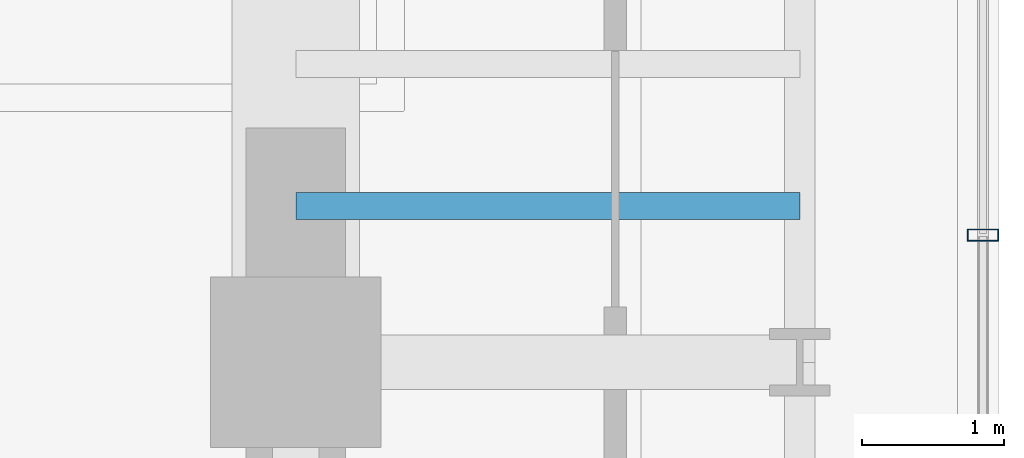
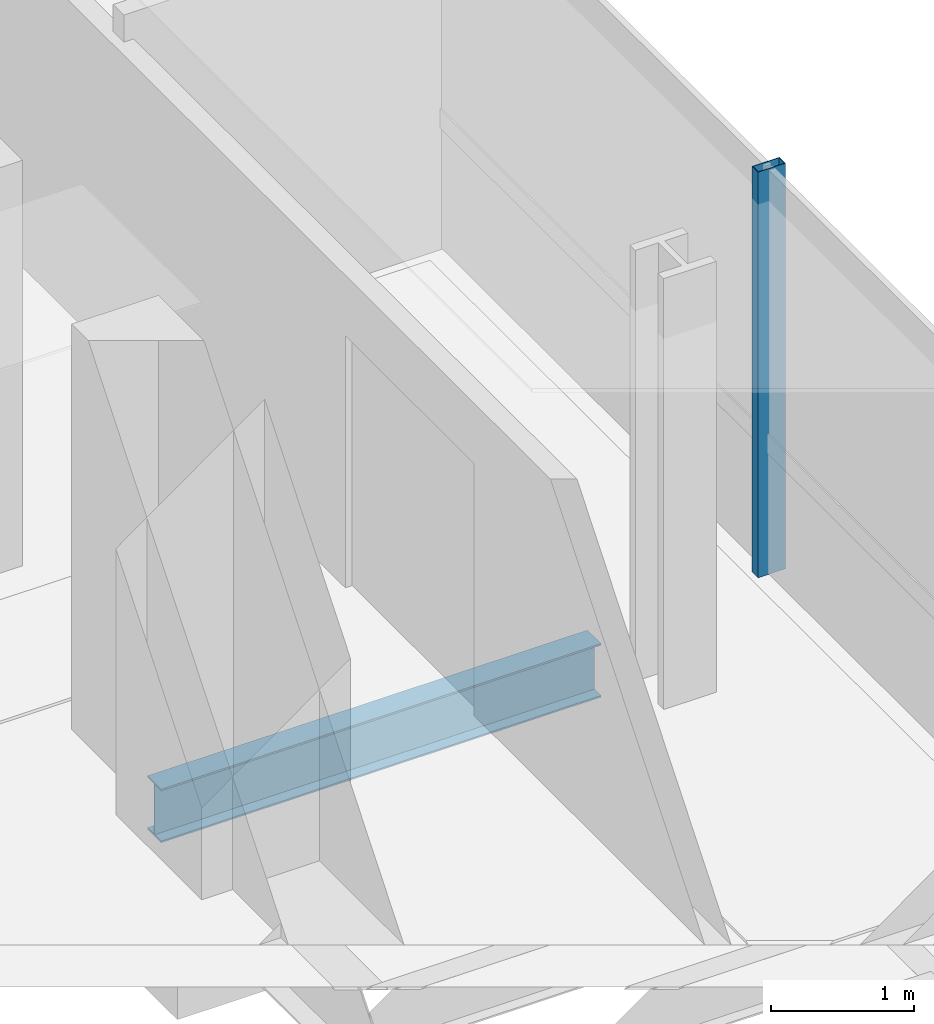
# One storey, part 13 of 35: 1 beam, 1 member, 1 element without a shape of its own.
"""IFC4 building model written with IfcOpenShell, lengths in metres."""

from ifc_helpers import new_model, si_unit, direction, frame, origin, origin_2d, place, context, subcontext, project, spatial, hollow_rectangle, i_section, extrude, source, transform, mapped, material, material_profile, profile_set, type_object, element, aggregate, save


model = new_model("IFC4")

# Units and contexts
model_context = context("Model", 3, precision=1e-05, world=origin(), true_north=direction((0.0, 1.0)))
body_context = subcontext(model_context, "Body", "Model", "MODEL_VIEW")
ifc_project = project(units=[si_unit("LENGTHUNIT", "METRE"), si_unit("AREAUNIT", "SQUARE_METRE"), si_unit("VOLUMEUNIT", "CUBIC_METRE"), si_unit("PLANEANGLEUNIT", "RADIAN"), si_unit("MASSUNIT", "GRAM", prefix="KILO")], contexts=[model_context])

# Site, building, storey
site_placement = place(None, origin())
site = spatial("IfcSite", under=ifc_project, at=site_placement, CompositionType="ELEMENT")
building_placement = place(site_placement, origin())
building = spatial("IfcBuilding", under=site, at=building_placement, Name="Valdorenza Pilgrim Sanctuary Tower", CompositionType="ELEMENT")
storey_placement = place(building_placement, frame((0.0, 0.0, 150.10009765625)))
storey = spatial("IfcBuildingStorey", under=building, at=storey_placement, Name="L38", CompositionType="ELEMENT", Elevation=150.10009765625)

# Beam
ifc_material_1 = material(Name="Steel ASTM A992 Grade 50", Category="steel")
ifc_material_profile_1 = material_profile(ifc_material_1, i_section(OverallWidth=0.19091796875, OverallDepth=0.45703125, WebThickness=0.009033203125, FlangeThickness=0.014404296875, at=origin_2d()), Name="W18X50")
ifc_profile_set_1 = profile_set([ifc_material_profile_1], Name="Steel ASTM A992 Grade 50")
beam_type = type_object("IfcBeamType", Name="STR-BM-JST-W18B", PredefinedType="JOIST", material=ifc_profile_set_1)
shared_shape_1 = source(origin(), body_context, "Body", "SweptSolid", [
    extrude(i_section(OverallWidth=0.19091796875, OverallDepth=0.45703125, WebThickness=0.009033203125, FlangeThickness=0.014404296875, at=origin_2d()), origin(), (0.0, 0.0, 1.0), 3.5498046875),
])
beam_placement = place(storey_placement, frame((24.85009765625, -1.5, -0.468505859375), z_axis=(1.0, 0.0, 0.0), x_axis=(0.0, 1.0, 0.0)))
element("IfcBeam", 1, at=beam_placement, inside=storey, type_object=beam_type, Name="L38 Composite Floor Joist JST-WB-8", PredefinedType="JOIST", context=body_context, shape_type="MappedRepresentation", body=[
    mapped(shared_shape_1, transform((0.0, 0.0, 0.0), x_axis=(1.0, 0.0, 0.0), y_axis=(0.0, 1.0, 0.0), z_axis=(0.0, 0.0, 1.0), scale=1.0)),
])

# Curtain wall, member
ifc_material_2 = material(Name="Curtain-wall IGU glazing", Category="glass")
curtain_wall_type = type_object("IfcCurtainWallType", Name="CW-SYS-03", PredefinedType="NOTDEFINED", material=ifc_material_2)
curtain_wall_placement = place(storey_placement, origin())
curtain_wall = element("IfcCurtainWall", 2, at=curtain_wall_placement, inside=storey, type_object=curtain_wall_type, Name="L38 Curtain Wall CW-L38-1-21", PredefinedType="NOTDEFINED")
ifc_material_3 = material(Name="Anodised aluminium AW-6060", Category="aluminium")
ifc_material_profile_2 = material_profile(ifc_material_3, hollow_rectangle(XDim=0.0849609375, YDim=0.219970703125, WallThickness=0.0048828125, at=origin_2d()), Name="ALU-M 220x85x5")
ifc_profile_set_2 = profile_set([ifc_material_profile_2], Name="Anodised aluminium AW-6060")
member_type = type_object("IfcMemberType", Name="CW-MUL-03", PredefinedType="MULLION", material=ifc_profile_set_2)
shared_shape_2 = source(origin(), body_context, "Body", "SweptSolid", [
    extrude(hollow_rectangle(XDim=0.0849609375, YDim=0.219970703125, WallThickness=0.0048828125, at=origin_2d()), origin(), (0.0, 0.0, 1.0), 3.4599609375),
])
member_placement = place(storey_placement, frame((29.68994140625, -1.7041015625, 0.0), z_axis=(0.0, 0.0, 1.0), x_axis=(0.0, -1.0, 0.0)))
member = element("IfcMember", 3, at=member_placement, type_object=member_type, Name="CW-L38-1-21 Mullion 3", PredefinedType="MULLION", context=body_context, shape_type="MappedRepresentation", body=[
    mapped(shared_shape_2, transform((0.0, 0.0, 0.0), x_axis=(1.0, 0.0, 0.0), y_axis=(0.0, 1.0, 0.0), z_axis=(0.0, 0.0, 1.0), scale=1.0)),
])
aggregate(curtain_wall, [member])

save(model, "model.ifc")
